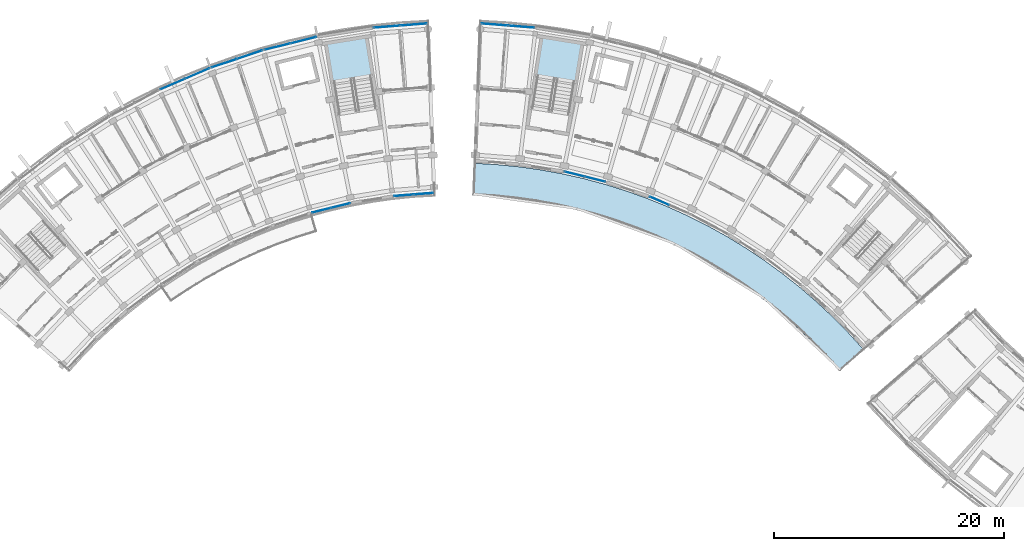
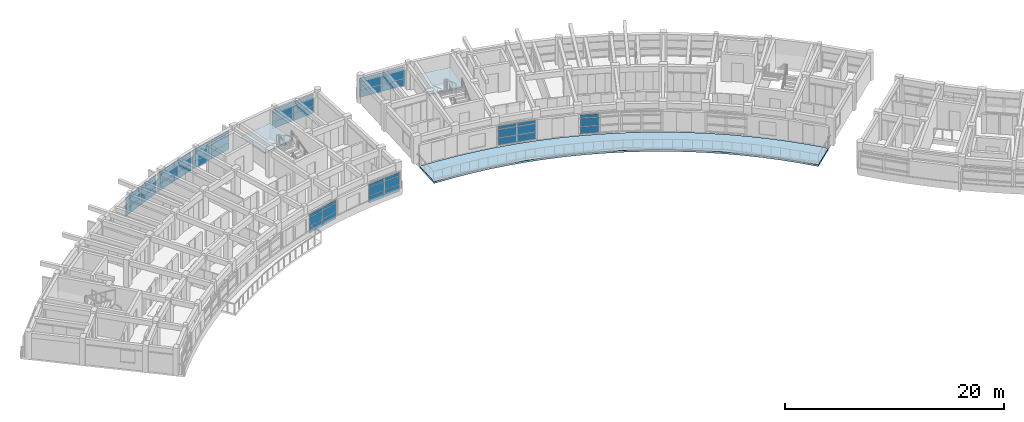
# One storey, part 16 of 38: 51 plates, 3 slabs, 11 elements without a shape of their own.
"""IFC4 building model written with IfcOpenShell, lengths in metres."""

from ifc_helpers import new_model, si_unit, direction, frame, origin, origin_2d, place, context, subcontext, project, spatial, polyline, rectangle, outline, extrude, material, layer, layer_set, type_object, element, aggregate, save


model = new_model("IFC4")

# Units and contexts
model_context = context("Model", 3, precision=1e-05, world=origin(), true_north=direction((0.0, 1.0)))
body_context = subcontext(model_context, "Body", "Model", "MODEL_VIEW")
ifc_project = project(units=[si_unit("LENGTHUNIT", "METRE"), si_unit("AREAUNIT", "SQUARE_METRE"), si_unit("VOLUMEUNIT", "CUBIC_METRE"), si_unit("PLANEANGLEUNIT", "RADIAN"), si_unit("MASSUNIT", "GRAM", prefix="KILO")], contexts=[model_context])

# Site, building, storey
site_placement = place(None, origin())
site = spatial("IfcSite", under=ifc_project, at=site_placement, CompositionType="ELEMENT")
building_placement = place(site_placement, origin())
building = spatial("IfcBuilding", under=site, at=building_placement, Name="Zimvara Arc Housing Community", CompositionType="ELEMENT")
storey_placement = place(building_placement, frame((0.0, 0.0, 29.800048828125)))
storey = spatial("IfcBuildingStorey", under=building, at=storey_placement, Name="L09", CompositionType="ELEMENT", Elevation=29.800048828125)

# Curtain wall, plates
ifc_material_1 = material(Name="Anodised Aluminium AW-6063", Category="aluminium")
curtain_wall_type_1 = type_object("IfcCurtainWallType", Name="CW-SYS-04", PredefinedType="USERDEFINED", material=ifc_material_1)
curtain_wall_1_placement = place(storey_placement, origin())
curtain_wall_1 = element("IfcCurtainWall", 1, at=curtain_wall_1_placement, inside=storey, type_object=curtain_wall_type_1, Name="cw:blkA:L09:out:b6", ObjectType="CURTAIN WALL", PredefinedType="USERDEFINED")
ifc_material_2 = material(Name="Pale-Gold Anodised Aluminium Spandrel Panel", Category="aluminium")
ifc_layer_1 = layer(ifc_material_2, 0.035888671875)
ifc_layer_set_1 = layer_set([ifc_layer_1], Name="Pale-Gold Anodised Aluminium Spandrel Panel")
plate_type_1 = type_object("IfcPlateType", Name="CWP-GLD-36", PredefinedType="CURTAIN_PANEL", material=ifc_layer_set_1)
plate_1_placement = place(storey_placement, frame((24.990478515625, 100.36669921875, 0.06494140625), z_axis=(0.0, 0.0, 1.0), x_axis=(0.947879647164, 0.318628583921, 0.0)))
plate_1 = element("IfcPlate", 2, at=plate_1_placement, type_object=plate_type_1, Name="CW04 panel 1.1", PredefinedType="CURTAIN_PANEL", context=body_context, shape_type="SweptSolid", body=[
    extrude(rectangle(XDim=2.266845703125, YDim=0.035888671875, at=origin_2d()), origin(), (0.0, 0.0, 1.0), 0.75244140625),
])
plate_2_placement = place(storey_placement, frame((24.990478515625, 100.36669921875, 0.88232421875), z_axis=(0.0, 0.0, 1.0), x_axis=(0.947879647164, 0.318628583921, 0.0)))
plate_2 = element("IfcPlate", 3, at=plate_2_placement, type_object=plate_type_1, Name="CW04 panel 1.2", PredefinedType="CURTAIN_PANEL", context=body_context, shape_type="SweptSolid", body=[
    extrude(rectangle(XDim=2.266845703125, YDim=0.035888671875, at=origin_2d()), origin(), (0.0, 0.0, 1.0), 0.885009765625),
])
plate_3_placement = place(storey_placement, frame((24.990478515625, 100.36669921875, 1.83251953125), z_axis=(0.0, 0.0, 1.0), x_axis=(0.947879647164, 0.318628583921, 0.0)))
plate_3 = element("IfcPlate", 4, at=plate_3_placement, type_object=plate_type_1, Name="CW04 panel 1.3", PredefinedType="CURTAIN_PANEL", context=body_context, shape_type="SweptSolid", body=[
    extrude(rectangle(XDim=2.266845703125, YDim=0.035888671875, at=origin_2d()), origin(), (0.0, 0.0, 1.0), 0.3525390625),
])
plate_4_placement = place(storey_placement, frame((27.200927734375, 101.109619140625, 0.06494140625), z_axis=(0.0, 0.0, 1.0), x_axis=(0.947879647164, 0.318628583921, 0.0)))
plate_4 = element("IfcPlate", 5, at=plate_4_placement, type_object=plate_type_1, Name="CW04 panel 2.1", PredefinedType="CURTAIN_PANEL", context=body_context, shape_type="SweptSolid", body=[
    extrude(rectangle(XDim=2.266845703125, YDim=0.035888671875, at=origin_2d()), origin(), (0.0, 0.0, 1.0), 0.75244140625),
])
plate_5_placement = place(storey_placement, frame((27.200927734375, 101.109619140625, 0.88232421875), z_axis=(0.0, 0.0, 1.0), x_axis=(0.947879647164, 0.318628583921, 0.0)))
plate_5 = element("IfcPlate", 6, at=plate_5_placement, type_object=plate_type_1, Name="CW04 panel 2.2", PredefinedType="CURTAIN_PANEL", context=body_context, shape_type="SweptSolid", body=[
    extrude(rectangle(XDim=2.266845703125, YDim=0.035888671875, at=origin_2d()), origin(), (0.0, 0.0, 1.0), 0.885009765625),
])
plate_6_placement = place(storey_placement, frame((27.200927734375, 101.109619140625, 1.83251953125), z_axis=(0.0, 0.0, 1.0), x_axis=(0.947879647164, 0.318628583921, 0.0)))
plate_6 = element("IfcPlate", 7, at=plate_6_placement, type_object=plate_type_1, Name="CW04 panel 2.3", PredefinedType="CURTAIN_PANEL", context=body_context, shape_type="SweptSolid", body=[
    extrude(rectangle(XDim=2.266845703125, YDim=0.035888671875, at=origin_2d()), origin(), (0.0, 0.0, 1.0), 0.3525390625),
])
aggregate(curtain_wall_1, [plate_1, plate_2, plate_3, plate_4, plate_5, plate_6])

ifc_material_3 = material(Name="Anodised Aluminium AW-6063", Category="aluminium")
curtain_wall_type_2 = type_object("IfcCurtainWallType", Name="CW-SYS-08", PredefinedType="USERDEFINED", material=ifc_material_3)
curtain_wall_2_placement = place(storey_placement, origin())
curtain_wall_2 = element("IfcCurtainWall", 8, at=curtain_wall_2_placement, inside=storey, type_object=curtain_wall_type_2, Name="cw:blkA:L09:in:b9", ObjectType="CURTAIN WALL", PredefinedType="USERDEFINED")
plate_7_placement = place(storey_placement, frame((40.609130859375, 88.87451171875, 0.06494140625), z_axis=(0.0, 0.0, 1.0), x_axis=(0.996862343506, 0.079154709897, 0.0)))
plate_7 = element("IfcPlate", 9, at=plate_7_placement, type_object=plate_type_1, Name="CW08 panel 1.1", PredefinedType="CURTAIN_PANEL", context=body_context, shape_type="SweptSolid", body=[
    extrude(rectangle(XDim=1.664306640625, YDim=0.035888671875, at=origin_2d()), origin(), (0.0, 0.0, 1.0), 0.75244140625),
])
plate_8_placement = place(storey_placement, frame((40.609130859375, 88.87451171875, 0.88232421875), z_axis=(0.0, 0.0, 1.0), x_axis=(0.996862343506, 0.079154709897, 0.0)))
plate_8 = element("IfcPlate", 10, at=plate_8_placement, type_object=plate_type_1, Name="CW08 panel 1.2", PredefinedType="CURTAIN_PANEL", context=body_context, shape_type="SweptSolid", body=[
    extrude(rectangle(XDim=1.664306640625, YDim=0.035888671875, at=origin_2d()), origin(), (0.0, 0.0, 1.0), 0.885009765625),
])
plate_9_placement = place(storey_placement, frame((40.609130859375, 88.87451171875, 1.83251953125), z_axis=(0.0, 0.0, 1.0), x_axis=(0.996862343506, 0.079154709897, 0.0)))
plate_9 = element("IfcPlate", 11, at=plate_9_placement, type_object=plate_type_1, Name="CW08 panel 1.3", PredefinedType="CURTAIN_PANEL", context=body_context, shape_type="SweptSolid", body=[
    extrude(rectangle(XDim=1.664306640625, YDim=0.035888671875, at=origin_2d()), origin(), (0.0, 0.0, 1.0), 0.3525390625),
])
plate_10_placement = place(storey_placement, frame((42.3330078125, 89.01123046875, 0.06494140625), z_axis=(0.0, 0.0, 1.0), x_axis=(0.996862343506, 0.079154709897, 0.0)))
plate_10 = element("IfcPlate", 12, at=plate_10_placement, type_object=plate_type_1, Name="CW08 panel 2.1", PredefinedType="CURTAIN_PANEL", context=body_context, shape_type="SweptSolid", body=[
    extrude(rectangle(XDim=1.664306640625, YDim=0.035888671875, at=origin_2d()), origin(), (0.0, 0.0, 1.0), 0.75244140625),
])
plate_11_placement = place(storey_placement, frame((42.3330078125, 89.01123046875, 0.88232421875), z_axis=(0.0, 0.0, 1.0), x_axis=(0.996862343506, 0.079154709897, 0.0)))
plate_11 = element("IfcPlate", 13, at=plate_11_placement, type_object=plate_type_1, Name="CW08 panel 2.2", PredefinedType="CURTAIN_PANEL", context=body_context, shape_type="SweptSolid", body=[
    extrude(rectangle(XDim=1.664306640625, YDim=0.035888671875, at=origin_2d()), origin(), (0.0, 0.0, 1.0), 0.885009765625),
])
plate_12_placement = place(storey_placement, frame((42.3330078125, 89.01123046875, 1.83251953125), z_axis=(0.0, 0.0, 1.0), x_axis=(0.996862343506, 0.079154709897, 0.0)))
plate_12 = element("IfcPlate", 14, at=plate_12_placement, type_object=plate_type_1, Name="CW08 panel 2.3", PredefinedType="CURTAIN_PANEL", context=body_context, shape_type="SweptSolid", body=[
    extrude(rectangle(XDim=1.664306640625, YDim=0.035888671875, at=origin_2d()), origin(), (0.0, 0.0, 1.0), 0.3525390625),
])
aggregate(curtain_wall_2, [plate_7, plate_8, plate_9, plate_10, plate_11, plate_12])

curtain_wall_3_placement = place(storey_placement, origin())
curtain_wall_3 = element("IfcCurtainWall", 15, at=curtain_wall_3_placement, inside=storey, type_object=curtain_wall_type_2, Name="cw:blkB:L09:in:b4", ObjectType="CURTAIN WALL", PredefinedType="USERDEFINED")
plate_13_placement = place(storey_placement, frame((62.86376953125, 88.3935546875, 0.06494140625), z_axis=(0.0, 0.0, 1.0), x_axis=(0.918722411261, -0.394903951674, 0.0)))
plate_13 = element("IfcPlate", 16, at=plate_13_placement, type_object=plate_type_1, Name="CW08 panel 1.1", PredefinedType="CURTAIN_PANEL", context=body_context, shape_type="SweptSolid", body=[
    extrude(rectangle(XDim=1.778564453125, YDim=0.035888671875, at=origin_2d()), origin(), (0.0, 0.0, 1.0), 0.75244140625),
])
plate_14_placement = place(storey_placement, frame((62.86376953125, 88.3935546875, 0.88232421875), z_axis=(0.0, 0.0, 1.0), x_axis=(0.918722411261, -0.394903951674, 0.0)))
plate_14 = element("IfcPlate", 17, at=plate_14_placement, type_object=plate_type_1, Name="CW08 panel 1.2", PredefinedType="CURTAIN_PANEL", context=body_context, shape_type="SweptSolid", body=[
    extrude(rectangle(XDim=1.778564453125, YDim=0.035888671875, at=origin_2d()), origin(), (0.0, 0.0, 1.0), 0.885009765625),
])
plate_15_placement = place(storey_placement, frame((62.86376953125, 88.3935546875, 1.83251953125), z_axis=(0.0, 0.0, 1.0), x_axis=(0.918722411261, -0.394903951674, 0.0)))
plate_15 = element("IfcPlate", 18, at=plate_15_placement, type_object=plate_type_1, Name="CW08 panel 1.3", PredefinedType="CURTAIN_PANEL", context=body_context, shape_type="SweptSolid", body=[
    extrude(rectangle(XDim=1.778564453125, YDim=0.035888671875, at=origin_2d()), origin(), (0.0, 0.0, 1.0), 0.3525390625),
])
aggregate(curtain_wall_3, [plate_13, plate_14, plate_15])

ifc_material_4 = material(Name="Anodised Aluminium AW-6063", Category="aluminium")
curtain_wall_type_3 = type_object("IfcCurtainWallType", Name="CW-SYS-05", PredefinedType="USERDEFINED", material=ifc_material_4)
curtain_wall_4_placement = place(storey_placement, origin())
curtain_wall_4 = element("IfcCurtainWall", 19, at=curtain_wall_4_placement, inside=storey, type_object=curtain_wall_type_3, Name="cw:blkA:L09:out:b7", ObjectType="CURTAIN WALL", PredefinedType="USERDEFINED")
ifc_material_5 = material(Name="Solar Control Low-E Double Glazing", Category="glass")
ifc_layer_2 = layer(ifc_material_5, 0.02392578125)
ifc_layer_set_2 = layer_set([ifc_layer_2], Name="Solar Control Low-E Double Glazing")
plate_type_2 = type_object("IfcPlateType", Name="CWP-GLZ-24", PredefinedType="CURTAIN_PANEL", material=ifc_layer_set_2)
plate_16_placement = place(storey_placement, frame((29.615234375, 101.81298828125, 0.06494140625), z_axis=(0.0, 0.0, 1.0), x_axis=(0.970716068627, 0.240229711131, 0.0)))
plate_16 = element("IfcPlate", 20, at=plate_16_placement, type_object=plate_type_2, Name="CW05 panel 1.1", PredefinedType="CURTAIN_PANEL", context=body_context, shape_type="SweptSolid", body=[
    extrude(rectangle(XDim=2.266845703125, YDim=0.02392578125, at=origin_2d()), origin(), (0.0, 0.0, 1.0), 0.75244140625),
])
plate_17_placement = place(storey_placement, frame((29.615234375, 101.81298828125, 0.88232421875), z_axis=(0.0, 0.0, 1.0), x_axis=(0.970716068627, 0.240229711131, 0.0)))
plate_17 = element("IfcPlate", 21, at=plate_17_placement, type_object=plate_type_2, Name="CW05 panel 1.2", PredefinedType="CURTAIN_PANEL", context=body_context, shape_type="SweptSolid", body=[
    extrude(rectangle(XDim=2.266845703125, YDim=0.02392578125, at=origin_2d()), origin(), (0.0, 0.0, 1.0), 0.885009765625),
])
plate_18_placement = place(storey_placement, frame((29.615234375, 101.81298828125, 1.83251953125), z_axis=(0.0, 0.0, 1.0), x_axis=(0.970716068627, 0.240229711131, 0.0)))
plate_18 = element("IfcPlate", 22, at=plate_18_placement, type_object=plate_type_2, Name="CW05 panel 1.3", PredefinedType="CURTAIN_PANEL", context=body_context, shape_type="SweptSolid", body=[
    extrude(rectangle(XDim=2.266845703125, YDim=0.02392578125, at=origin_2d()), origin(), (0.0, 0.0, 1.0), 0.3525390625),
])
plate_19_placement = place(storey_placement, frame((31.87890625, 102.373291015625, 0.06494140625), z_axis=(0.0, 0.0, 1.0), x_axis=(0.970716068627, 0.240229711131, 0.0)))
plate_19 = element("IfcPlate", 23, at=plate_19_placement, type_object=plate_type_2, Name="CW05 panel 2.1", PredefinedType="CURTAIN_PANEL", context=body_context, shape_type="SweptSolid", body=[
    extrude(rectangle(XDim=2.266845703125, YDim=0.02392578125, at=origin_2d()), origin(), (0.0, 0.0, 1.0), 0.75244140625),
])
plate_20_placement = place(storey_placement, frame((31.87890625, 102.373291015625, 0.88232421875), z_axis=(0.0, 0.0, 1.0), x_axis=(0.970716068627, 0.240229711131, 0.0)))
plate_20 = element("IfcPlate", 24, at=plate_20_placement, type_object=plate_type_2, Name="CW05 panel 2.2", PredefinedType="CURTAIN_PANEL", context=body_context, shape_type="SweptSolid", body=[
    extrude(rectangle(XDim=2.266845703125, YDim=0.02392578125, at=origin_2d()), origin(), (0.0, 0.0, 1.0), 0.885009765625),
])
plate_21_placement = place(storey_placement, frame((31.87890625, 102.373291015625, 1.83251953125), z_axis=(0.0, 0.0, 1.0), x_axis=(0.970716068627, 0.240229711131, 0.0)))
plate_21 = element("IfcPlate", 25, at=plate_21_placement, type_object=plate_type_2, Name="CW05 panel 2.3", PredefinedType="CURTAIN_PANEL", context=body_context, shape_type="SweptSolid", body=[
    extrude(rectangle(XDim=2.266845703125, YDim=0.02392578125, at=origin_2d()), origin(), (0.0, 0.0, 1.0), 0.3525390625),
])
aggregate(curtain_wall_4, [plate_16, plate_17, plate_18, plate_19, plate_20, plate_21])

curtain_wall_5_placement = place(storey_placement, origin())
curtain_wall_5 = element("IfcCurtainWall", 26, at=curtain_wall_5_placement, inside=storey, type_object=curtain_wall_type_3, Name="cw:blkB:L09:in:b2", ObjectType="CURTAIN WALL", PredefinedType="USERDEFINED")
plate_22_placement = place(storey_placement, frame((55.4873046875, 90.71435546875, 0.06494140625), z_axis=(0.0, 0.0, 1.0), x_axis=(0.970716198507, -0.240229186313, 0.0)))
plate_22 = element("IfcPlate", 27, at=plate_22_placement, type_object=plate_type_2, Name="CW05 panel 1.1", PredefinedType="CURTAIN_PANEL", context=body_context, shape_type="SweptSolid", body=[
    extrude(rectangle(XDim=1.778564453125, YDim=0.02392578125, at=origin_2d()), origin(), (0.0, 0.0, 1.0), 0.75244140625),
])
plate_23_placement = place(storey_placement, frame((55.4873046875, 90.71435546875, 0.88232421875), z_axis=(0.0, 0.0, 1.0), x_axis=(0.970716198507, -0.240229186313, 0.0)))
plate_23 = element("IfcPlate", 28, at=plate_23_placement, type_object=plate_type_2, Name="CW05 panel 1.2", PredefinedType="CURTAIN_PANEL", context=body_context, shape_type="SweptSolid", body=[
    extrude(rectangle(XDim=1.778564453125, YDim=0.02392578125, at=origin_2d()), origin(), (0.0, 0.0, 1.0), 0.885009765625),
])
plate_24_placement = place(storey_placement, frame((55.4873046875, 90.71435546875, 1.83251953125), z_axis=(0.0, 0.0, 1.0), x_axis=(0.970716198507, -0.240229186313, 0.0)))
plate_24 = element("IfcPlate", 29, at=plate_24_placement, type_object=plate_type_2, Name="CW05 panel 1.3", PredefinedType="CURTAIN_PANEL", context=body_context, shape_type="SweptSolid", body=[
    extrude(rectangle(XDim=1.778564453125, YDim=0.02392578125, at=origin_2d()), origin(), (0.0, 0.0, 1.0), 0.3525390625),
])
plate_25_placement = place(storey_placement, frame((57.27685546875, 90.271484375, 0.06494140625), z_axis=(0.0, 0.0, 1.0), x_axis=(0.970716198507, -0.240229186313, 0.0)))
plate_25 = element("IfcPlate", 30, at=plate_25_placement, type_object=plate_type_2, Name="CW05 panel 2.1", PredefinedType="CURTAIN_PANEL", context=body_context, shape_type="SweptSolid", body=[
    extrude(rectangle(XDim=1.778564453125, YDim=0.02392578125, at=origin_2d()), origin(), (0.0, 0.0, 1.0), 0.75244140625),
])
plate_26_placement = place(storey_placement, frame((57.27685546875, 90.271484375, 0.88232421875), z_axis=(0.0, 0.0, 1.0), x_axis=(0.970716198507, -0.240229186313, 0.0)))
plate_26 = element("IfcPlate", 31, at=plate_26_placement, type_object=plate_type_2, Name="CW05 panel 2.2", PredefinedType="CURTAIN_PANEL", context=body_context, shape_type="SweptSolid", body=[
    extrude(rectangle(XDim=1.778564453125, YDim=0.02392578125, at=origin_2d()), origin(), (0.0, 0.0, 1.0), 0.885009765625),
])
plate_27_placement = place(storey_placement, frame((57.27685546875, 90.271484375, 1.83251953125), z_axis=(0.0, 0.0, 1.0), x_axis=(0.970716198507, -0.240229186313, 0.0)))
plate_27 = element("IfcPlate", 32, at=plate_27_placement, type_object=plate_type_2, Name="CW05 panel 2.3", PredefinedType="CURTAIN_PANEL", context=body_context, shape_type="SweptSolid", body=[
    extrude(rectangle(XDim=1.778564453125, YDim=0.02392578125, at=origin_2d()), origin(), (0.0, 0.0, 1.0), 0.3525390625),
])
aggregate(curtain_wall_5, [plate_22, plate_23, plate_24, plate_25, plate_26, plate_27])

ifc_material_6 = material(Name="Anodised Aluminium AW-6063", Category="aluminium")
curtain_wall_type_4 = type_object("IfcCurtainWallType", Name="CW-SYS-02", PredefinedType="USERDEFINED", material=ifc_material_6)
curtain_wall_6_placement = place(storey_placement, origin())
curtain_wall_6 = element("IfcCurtainWall", 33, at=curtain_wall_6_placement, inside=storey, type_object=curtain_wall_type_4, Name="cw:blkA:L09:out:b5", ObjectType="CURTAIN WALL", PredefinedType="USERDEFINED")
ifc_material_7 = material(Name="Solar Control Low-E Double Glazing", Category="glass")
ifc_layer_3 = layer(ifc_material_7, 0.028076171875)
ifc_layer_set_3 = layer_set([ifc_layer_3], Name="Solar Control Low-E Double Glazing")
plate_type_3 = type_object("IfcPlateType", Name="CWP-GLZ-28", PredefinedType="CURTAIN_PANEL", material=ifc_layer_set_3)
plate_28_placement = place(storey_placement, frame((20.4990234375, 98.5478515625, 0.06494140625), z_axis=(0.0, 0.0, 1.0), x_axis=(0.918722299363, 0.394904211998, 0.0)))
plate_28 = element("IfcPlate", 34, at=plate_28_placement, type_object=plate_type_3, Name="CW02 panel 1.1", PredefinedType="CURTAIN_PANEL", context=body_context, shape_type="SweptSolid", body=[
    extrude(rectangle(XDim=2.266845703125, YDim=0.028076171875, at=origin_2d()), origin(), (0.0, 0.0, 1.0), 0.75244140625),
])
plate_29_placement = place(storey_placement, frame((20.4990234375, 98.5478515625, 0.88232421875), z_axis=(0.0, 0.0, 1.0), x_axis=(0.918722299363, 0.394904211998, 0.0)))
plate_29 = element("IfcPlate", 35, at=plate_29_placement, type_object=plate_type_3, Name="CW02 panel 1.2", PredefinedType="CURTAIN_PANEL", context=body_context, shape_type="SweptSolid", body=[
    extrude(rectangle(XDim=2.266845703125, YDim=0.028076171875, at=origin_2d()), origin(), (0.0, 0.0, 1.0), 0.885009765625),
])
plate_30_placement = place(storey_placement, frame((20.4990234375, 98.5478515625, 1.83251953125), z_axis=(0.0, 0.0, 1.0), x_axis=(0.918722299363, 0.394904211998, 0.0)))
plate_30 = element("IfcPlate", 36, at=plate_30_placement, type_object=plate_type_3, Name="CW02 panel 1.3", PredefinedType="CURTAIN_PANEL", context=body_context, shape_type="SweptSolid", body=[
    extrude(rectangle(XDim=2.266845703125, YDim=0.028076171875, at=origin_2d()), origin(), (0.0, 0.0, 1.0), 0.3525390625),
])
plate_31_placement = place(storey_placement, frame((22.641357421875, 99.46875, 0.06494140625), z_axis=(0.0, 0.0, 1.0), x_axis=(0.918722299363, 0.394904211998, 0.0)))
plate_31 = element("IfcPlate", 37, at=plate_31_placement, type_object=plate_type_3, Name="CW02 panel 2.1", PredefinedType="CURTAIN_PANEL", context=body_context, shape_type="SweptSolid", body=[
    extrude(rectangle(XDim=2.266845703125, YDim=0.028076171875, at=origin_2d()), origin(), (0.0, 0.0, 1.0), 0.75244140625),
])
plate_32_placement = place(storey_placement, frame((22.641357421875, 99.46875, 0.88232421875), z_axis=(0.0, 0.0, 1.0), x_axis=(0.918722299363, 0.394904211998, 0.0)))
plate_32 = element("IfcPlate", 38, at=plate_32_placement, type_object=plate_type_3, Name="CW02 panel 2.2", PredefinedType="CURTAIN_PANEL", context=body_context, shape_type="SweptSolid", body=[
    extrude(rectangle(XDim=2.266845703125, YDim=0.028076171875, at=origin_2d()), origin(), (0.0, 0.0, 1.0), 0.885009765625),
])
plate_33_placement = place(storey_placement, frame((22.641357421875, 99.46875, 1.83251953125), z_axis=(0.0, 0.0, 1.0), x_axis=(0.918722299363, 0.394904211998, 0.0)))
plate_33 = element("IfcPlate", 39, at=plate_33_placement, type_object=plate_type_3, Name="CW02 panel 2.3", PredefinedType="CURTAIN_PANEL", context=body_context, shape_type="SweptSolid", body=[
    extrude(rectangle(XDim=2.266845703125, YDim=0.028076171875, at=origin_2d()), origin(), (0.0, 0.0, 1.0), 0.3525390625),
])
aggregate(curtain_wall_6, [plate_28, plate_29, plate_30, plate_31, plate_32, plate_33])

ifc_material_8 = material(Name="Anodised Aluminium AW-6063", Category="aluminium")
curtain_wall_type_5 = type_object("IfcCurtainWallType", Name="CW-SYS-06", PredefinedType="USERDEFINED", material=ifc_material_8)
curtain_wall_7_placement = place(storey_placement, origin())
curtain_wall_7 = element("IfcCurtainWall", 40, at=curtain_wall_7_placement, inside=storey, type_object=curtain_wall_type_5, Name="cw:blkA:L09:in:b7", ObjectType="CURTAIN WALL", PredefinedType="USERDEFINED")
plate_34_placement = place(storey_placement, frame((33.45068359375, 87.569580078125, 0.06494140625), z_axis=(0.0, 0.0, 1.0), x_axis=(0.970716537698, 0.240227815706, 0.0)))
plate_34 = element("IfcPlate", 41, at=plate_34_placement, type_object=plate_type_3, Name="CW06 panel 1.1", PredefinedType="CURTAIN_PANEL", context=body_context, shape_type="SweptSolid", body=[
    extrude(rectangle(XDim=1.664306640625, YDim=0.028076171875, at=origin_2d()), origin(), (0.0, 0.0, 1.0), 0.75244140625),
])
plate_35_placement = place(storey_placement, frame((33.45068359375, 87.569580078125, 0.88232421875), z_axis=(0.0, 0.0, 1.0), x_axis=(0.970716537698, 0.240227815706, 0.0)))
plate_35 = element("IfcPlate", 42, at=plate_35_placement, type_object=plate_type_3, Name="CW06 panel 1.2", PredefinedType="CURTAIN_PANEL", context=body_context, shape_type="SweptSolid", body=[
    extrude(rectangle(XDim=1.664306640625, YDim=0.028076171875, at=origin_2d()), origin(), (0.0, 0.0, 1.0), 0.885009765625),
])
plate_36_placement = place(storey_placement, frame((33.45068359375, 87.569580078125, 1.83251953125), z_axis=(0.0, 0.0, 1.0), x_axis=(0.970716537698, 0.240227815706, 0.0)))
plate_36 = element("IfcPlate", 43, at=plate_36_placement, type_object=plate_type_3, Name="CW06 panel 1.3", PredefinedType="CURTAIN_PANEL", context=body_context, shape_type="SweptSolid", body=[
    extrude(rectangle(XDim=1.664306640625, YDim=0.028076171875, at=origin_2d()), origin(), (0.0, 0.0, 1.0), 0.3525390625),
])
plate_37_placement = place(storey_placement, frame((35.12939453125, 87.98486328125, 0.06494140625), z_axis=(0.0, 0.0, 1.0), x_axis=(0.970716537698, 0.240227815706, 0.0)))
plate_37 = element("IfcPlate", 44, at=plate_37_placement, type_object=plate_type_3, Name="CW06 panel 2.1", PredefinedType="CURTAIN_PANEL", context=body_context, shape_type="SweptSolid", body=[
    extrude(rectangle(XDim=1.664306640625, YDim=0.028076171875, at=origin_2d()), origin(), (0.0, 0.0, 1.0), 0.75244140625),
])
plate_38_placement = place(storey_placement, frame((35.12939453125, 87.98486328125, 0.88232421875), z_axis=(0.0, 0.0, 1.0), x_axis=(0.970716537698, 0.240227815706, 0.0)))
plate_38 = element("IfcPlate", 45, at=plate_38_placement, type_object=plate_type_3, Name="CW06 panel 2.2", PredefinedType="CURTAIN_PANEL", context=body_context, shape_type="SweptSolid", body=[
    extrude(rectangle(XDim=1.664306640625, YDim=0.028076171875, at=origin_2d()), origin(), (0.0, 0.0, 1.0), 0.885009765625),
])
plate_39_placement = place(storey_placement, frame((35.12939453125, 87.98486328125, 1.83251953125), z_axis=(0.0, 0.0, 1.0), x_axis=(0.970716537698, 0.240227815706, 0.0)))
plate_39 = element("IfcPlate", 46, at=plate_39_placement, type_object=plate_type_3, Name="CW06 panel 2.3", PredefinedType="CURTAIN_PANEL", context=body_context, shape_type="SweptSolid", body=[
    extrude(rectangle(XDim=1.664306640625, YDim=0.028076171875, at=origin_2d()), origin(), (0.0, 0.0, 1.0), 0.3525390625),
])
aggregate(curtain_wall_7, [plate_34, plate_35, plate_36, plate_37, plate_38, plate_39])

ifc_material_9 = material(Name="Anodised Aluminium AW-6063", Category="aluminium")
curtain_wall_type_6 = type_object("IfcCurtainWallType", Name="CW-SYS-07", PredefinedType="USERDEFINED", material=ifc_material_9)
curtain_wall_8_placement = place(storey_placement, origin())
curtain_wall_8 = element("IfcCurtainWall", 47, at=curtain_wall_8_placement, inside=storey, type_object=curtain_wall_type_6, Name="cw:blkA:L09:out:b9", ObjectType="CURTAIN WALL", PredefinedType="USERDEFINED")
ifc_material_10 = material(Name="Acoustic Laminated Solar Glazing", Category="glass")
ifc_layer_4 = layer(ifc_material_10, 0.031982421875)
ifc_layer_set_4 = layer_set([ifc_layer_4], Name="Acoustic Laminated Solar Glazing")
plate_type_4 = type_object("IfcPlateType", Name="CWP-GLZ-32", PredefinedType="CURTAIN_PANEL", material=ifc_layer_set_4)
plate_40_placement = place(storey_placement, frame((39.141357421875, 103.552001953125, 0.06494140625), z_axis=(0.0, 0.0, 1.0), x_axis=(0.996862418963, 0.079153759607, 0.0)))
plate_40 = element("IfcPlate", 48, at=plate_40_placement, type_object=plate_type_4, Name="CW07 panel 1.1", PredefinedType="CURTAIN_PANEL", context=body_context, shape_type="SweptSolid", body=[
    extrude(rectangle(XDim=2.266845703125, YDim=0.031982421875, at=origin_2d()), origin(), (0.0, 0.0, 1.0), 0.75244140625),
])
plate_41_placement = place(storey_placement, frame((39.141357421875, 103.552001953125, 0.88232421875), z_axis=(0.0, 0.0, 1.0), x_axis=(0.996862418963, 0.079153759607, 0.0)))
plate_41 = element("IfcPlate", 49, at=plate_41_placement, type_object=plate_type_4, Name="CW07 panel 1.2", PredefinedType="CURTAIN_PANEL", context=body_context, shape_type="SweptSolid", body=[
    extrude(rectangle(XDim=2.266845703125, YDim=0.031982421875, at=origin_2d()), origin(), (0.0, 0.0, 1.0), 0.885009765625),
])
plate_42_placement = place(storey_placement, frame((39.141357421875, 103.552001953125, 1.83251953125), z_axis=(0.0, 0.0, 1.0), x_axis=(0.996862418963, 0.079153759607, 0.0)))
plate_42 = element("IfcPlate", 50, at=plate_42_placement, type_object=plate_type_4, Name="CW07 panel 1.3", PredefinedType="CURTAIN_PANEL", context=body_context, shape_type="SweptSolid", body=[
    extrude(rectangle(XDim=2.266845703125, YDim=0.031982421875, at=origin_2d()), origin(), (0.0, 0.0, 1.0), 0.3525390625),
])
plate_43_placement = place(storey_placement, frame((41.466064453125, 103.736572265625, 0.06494140625), z_axis=(0.0, 0.0, 1.0), x_axis=(0.996862418963, 0.079153759607, 0.0)))
plate_43 = element("IfcPlate", 51, at=plate_43_placement, type_object=plate_type_4, Name="CW07 panel 2.1", PredefinedType="CURTAIN_PANEL", context=body_context, shape_type="SweptSolid", body=[
    extrude(rectangle(XDim=2.266845703125, YDim=0.031982421875, at=origin_2d()), origin(), (0.0, 0.0, 1.0), 0.75244140625),
])
plate_44_placement = place(storey_placement, frame((41.466064453125, 103.736572265625, 0.88232421875), z_axis=(0.0, 0.0, 1.0), x_axis=(0.996862418963, 0.079153759607, 0.0)))
plate_44 = element("IfcPlate", 52, at=plate_44_placement, type_object=plate_type_4, Name="CW07 panel 2.2", PredefinedType="CURTAIN_PANEL", context=body_context, shape_type="SweptSolid", body=[
    extrude(rectangle(XDim=2.266845703125, YDim=0.031982421875, at=origin_2d()), origin(), (0.0, 0.0, 1.0), 0.885009765625),
])
plate_45_placement = place(storey_placement, frame((41.466064453125, 103.736572265625, 1.83251953125), z_axis=(0.0, 0.0, 1.0), x_axis=(0.996862418963, 0.079153759607, 0.0)))
plate_45 = element("IfcPlate", 53, at=plate_45_placement, type_object=plate_type_4, Name="CW07 panel 2.3", PredefinedType="CURTAIN_PANEL", context=body_context, shape_type="SweptSolid", body=[
    extrude(rectangle(XDim=2.266845703125, YDim=0.031982421875, at=origin_2d()), origin(), (0.0, 0.0, 1.0), 0.3525390625),
])
aggregate(curtain_wall_8, [plate_40, plate_41, plate_42, plate_43, plate_44, plate_45])

ifc_material_11 = material(Name="Anodised Aluminium AW-6063", Category="aluminium")
curtain_wall_type_7 = type_object("IfcCurtainWallType", Name="CW-SYS-03", PredefinedType="USERDEFINED", material=ifc_material_11)
curtain_wall_9_placement = place(storey_placement, origin())
curtain_wall_9 = element("IfcCurtainWall", 54, at=curtain_wall_9_placement, inside=storey, type_object=curtain_wall_type_7, Name="cw:blkB:L09:out:b0", ObjectType="CURTAIN WALL", PredefinedType="USERDEFINED")
plate_46_placement = place(storey_placement, frame((48.533935546875, 103.736572265625, 0.06494140625), z_axis=(0.0, 0.0, 1.0), x_axis=(0.996862418963, -0.079153759607, 0.0)))
plate_46 = element("IfcPlate", 55, at=plate_46_placement, type_object=plate_type_4, Name="CW03 panel 1.1", PredefinedType="CURTAIN_PANEL", context=body_context, shape_type="SweptSolid", body=[
    extrude(rectangle(XDim=2.266845703125, YDim=0.031982421875, at=origin_2d()), origin(), (0.0, 0.0, 1.0), 0.75244140625),
])
plate_47_placement = place(storey_placement, frame((48.533935546875, 103.736572265625, 0.88232421875), z_axis=(0.0, 0.0, 1.0), x_axis=(0.996862418963, -0.079153759607, 0.0)))
plate_47 = element("IfcPlate", 56, at=plate_47_placement, type_object=plate_type_4, Name="CW03 panel 1.2", PredefinedType="CURTAIN_PANEL", context=body_context, shape_type="SweptSolid", body=[
    extrude(rectangle(XDim=2.266845703125, YDim=0.031982421875, at=origin_2d()), origin(), (0.0, 0.0, 1.0), 0.885009765625),
])
plate_48_placement = place(storey_placement, frame((48.533935546875, 103.736572265625, 1.83251953125), z_axis=(0.0, 0.0, 1.0), x_axis=(0.996862418963, -0.079153759607, 0.0)))
plate_48 = element("IfcPlate", 57, at=plate_48_placement, type_object=plate_type_4, Name="CW03 panel 1.3", PredefinedType="CURTAIN_PANEL", context=body_context, shape_type="SweptSolid", body=[
    extrude(rectangle(XDim=2.266845703125, YDim=0.031982421875, at=origin_2d()), origin(), (0.0, 0.0, 1.0), 0.3525390625),
])
plate_49_placement = place(storey_placement, frame((50.858642578125, 103.552001953125, 0.06494140625), z_axis=(0.0, 0.0, 1.0), x_axis=(0.996862418963, -0.079153759607, 0.0)))
plate_49 = element("IfcPlate", 58, at=plate_49_placement, type_object=plate_type_4, Name="CW03 panel 2.1", PredefinedType="CURTAIN_PANEL", context=body_context, shape_type="SweptSolid", body=[
    extrude(rectangle(XDim=2.266845703125, YDim=0.031982421875, at=origin_2d()), origin(), (0.0, 0.0, 1.0), 0.75244140625),
])
plate_50_placement = place(storey_placement, frame((50.858642578125, 103.552001953125, 0.88232421875), z_axis=(0.0, 0.0, 1.0), x_axis=(0.996862418963, -0.079153759607, 0.0)))
plate_50 = element("IfcPlate", 59, at=plate_50_placement, type_object=plate_type_4, Name="CW03 panel 2.2", PredefinedType="CURTAIN_PANEL", context=body_context, shape_type="SweptSolid", body=[
    extrude(rectangle(XDim=2.266845703125, YDim=0.031982421875, at=origin_2d()), origin(), (0.0, 0.0, 1.0), 0.885009765625),
])
plate_51_placement = place(storey_placement, frame((50.858642578125, 103.552001953125, 1.83251953125), z_axis=(0.0, 0.0, 1.0), x_axis=(0.996862418963, -0.079153759607, 0.0)))
plate_51 = element("IfcPlate", 60, at=plate_51_placement, type_object=plate_type_4, Name="CW03 panel 2.3", PredefinedType="CURTAIN_PANEL", context=body_context, shape_type="SweptSolid", body=[
    extrude(rectangle(XDim=2.266845703125, YDim=0.031982421875, at=origin_2d()), origin(), (0.0, 0.0, 1.0), 0.3525390625),
])
aggregate(curtain_wall_9, [plate_46, plate_47, plate_48, plate_49, plate_50, plate_51])

# Stair, slab
ifc_material_12 = material(Name="Concrete C35/45", Category="concrete")
stair_type = type_object("IfcStairType", Name="STR-DL-315-310", PredefinedType="HALF_TURN_STAIR", material=ifc_material_12)
stair_1_placement = place(storey_placement, origin())
stair_1 = element("IfcStair", 61, at=stair_1_placement, inside=storey, type_object=stair_type, Name="L09 Block A Exit Stair 2", PredefinedType="HALF_TURN_STAIR")
ifc_material_13 = material(Name="Concrete C35/45", Category="concrete")
ifc_layer_5 = layer(ifc_material_13, 0.199951171875)
ifc_layer_set_5 = layer_set([ifc_layer_5], Name="Concrete C35/45")
slab_type_1 = type_object("IfcSlabType", Name="SLB-STAIR-LND-200", PredefinedType="LANDING", material=ifc_layer_set_5)
slab_1_placement = place(storey_placement, frame((0.0, 0.0, 1.349853515625)))
slab_1 = element("IfcSlab", 62, at=slab_1_placement, type_object=slab_type_1, Name="ST-A2 landing 1", PredefinedType="LANDING", context=body_context, shape_type="SweptSolid", body=[
    extrude(outline(polyline([(37.814697265625, 99.2509765625), (37.278564453125, 102.552978515625), (33.962158203125, 102.014404296875), (34.498046875, 98.712646484375), (37.814697265625, 99.2509765625)])), origin(), (0.0, 0.0, 1.0), 0.2001953125),
])
aggregate(stair_1, [slab_1])

stair_2_placement = place(storey_placement, origin())
stair_2 = element("IfcStair", 63, at=stair_2_placement, inside=storey, type_object=stair_type, Name="L09 Block B Exit Stair 1", PredefinedType="HALF_TURN_STAIR")
slab_2_placement = place(storey_placement, frame((0.0, 0.0, 1.349853515625)))
slab_2 = element("IfcSlab", 64, at=slab_2_placement, type_object=slab_type_1, Name="ST-B1 landing 1", PredefinedType="LANDING", context=body_context, shape_type="SweptSolid", body=[
    extrude(outline(polyline([(55.501953125, 98.712646484375), (56.037841796875, 102.014404296875), (52.721435546875, 102.552978515625), (52.185302734375, 99.2509765625), (55.501953125, 98.712646484375)])), origin(), (0.0, 0.0, 1.0), 0.2001953125),
])
aggregate(stair_2, [slab_2])

# Slab
ifc_material_14 = material(Name="Concrete C35/45", Category="concrete")
ifc_layer_6 = layer(ifc_material_14, 0.2099609375)
ifc_layer_set_6 = layer_set([ifc_layer_6], Name="Concrete C35/45")
slab_type_2 = type_object("IfcSlabType", Name="SLB-TER-210", PredefinedType="FLOOR", material=ifc_layer_set_6)
slab_3_placement = place(storey_placement, frame((0.0, 0.0, -0.2099609375)))
element("IfcSlab", 65, at=slab_3_placement, inside=storey, type_object=slab_type_2, Name="slab:blkB:L09:terrace", PredefinedType="FLOOR", context=body_context, shape_type="SweptSolid", body=[
    extrude(outline(polyline([(46.704345703125, 88.8671875), (48.514404296875, 88.7607421875), (50.318603515625, 88.580322265625), (52.114013671875, 88.326416015625), (53.8974609375, 87.999267578125), (55.666015625, 87.599853515625), (57.4169921875, 87.12841796875), (59.147216796875, 86.5859375), (60.853759765625, 85.97314453125), (62.53369140625, 85.291259765625), (64.1845703125, 84.541259765625), (65.803466796875, 83.724609375), (67.3876953125, 82.842529296875), (68.9345703125, 81.896484375), (70.44140625, 80.88818359375), (71.90576171875, 79.819091796875), (73.325439453125, 78.69091796875), (74.697998046875, 77.506103515625), (76.020751953125, 76.265869140625), (77.291748046875, 74.972900390625), (78.509033203125, 73.62890625), (80.622314453125, 75.466064453125), (79.328369140625, 76.89453125), (77.97705078125, 78.269287109375), (76.57080078125, 79.58740234375), (75.11181640625, 80.84716796875), (73.6025390625, 82.04638671875), (72.0458984375, 83.182861328125), (70.44384765625, 84.2548828125), (68.799560546875, 85.260498046875), (67.115478515625, 86.1982421875), (65.39453125, 87.06640625), (63.639404296875, 87.86376953125), (61.853515625, 88.588623046875), (60.039306640625, 89.239990234375), (58.199951171875, 89.816650390625), (56.3388671875, 90.31787109375), (54.45849609375, 90.74267578125), (52.562744140625, 91.090087890625), (50.654052734375, 91.360107421875), (48.736083984375, 91.552001953125), (46.81201171875, 91.665283203125), (46.704345703125, 88.8671875)])), origin(), (0.0, 0.0, 1.0), 0.2099609375),
])

save(model, "model.ifc")
